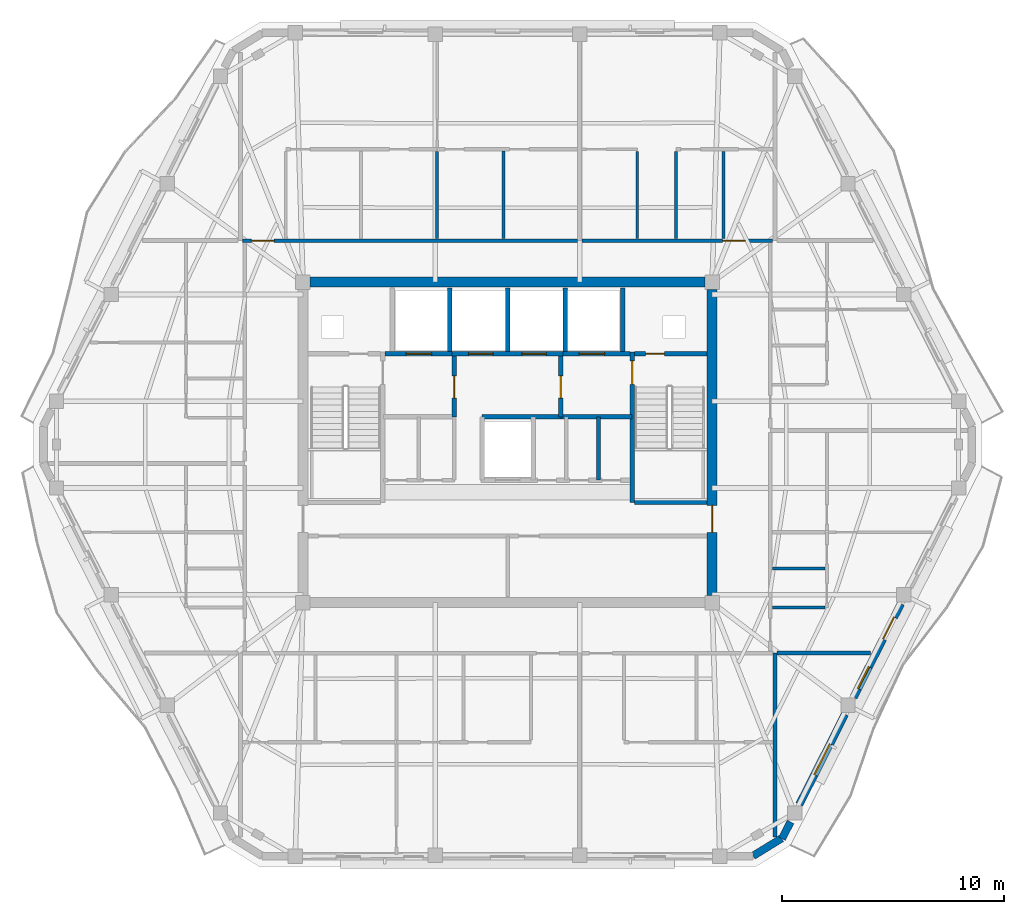
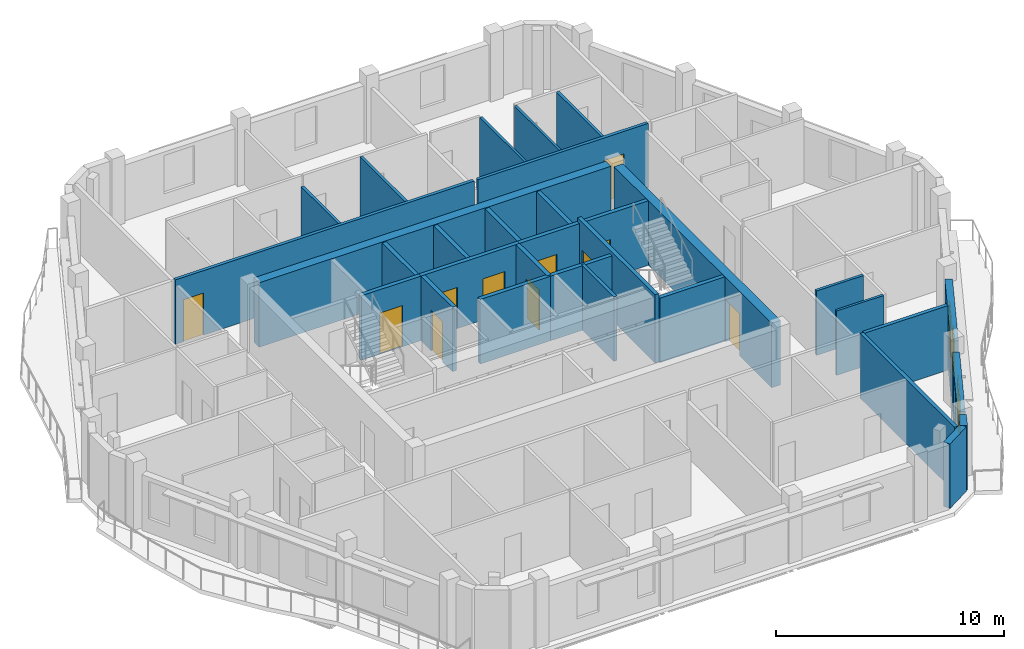
# One storey, part 6 of 11: 32 walls, 12 doors, 2 windows, 14 openings.
"""IFC4 building model written with IfcOpenShell, lengths in metres."""

import ifcopenshell
import ifcopenshell.guid

model = None  # the IFC model being written
_history = None  # IfcOwnerHistory: only IFC2X3 demands one
_inside = {}  # id of a spatial element -> (the spatial element, [elements in it])
_under = {}  # id of a project, library or spatial element -> (it, [spatial elements below it])
_declared = {}  # id of a project -> (the project, [libraries it declares])
_typed = {}  # id of a type object -> (the type object, [elements of that type])
_made_of = {}  # id of a material, layer set ... -> (it, [elements and type objects made of it])


def new_model(schema):
    """Start an empty IFC model of exactly this schema.

    Asked for "IFC4X3", IfcOpenShell would pick the latest addendum, in which some entities
    have other attributes; the version numbers below select the first issue.
    IFC2X3 requires an IfcOwnerHistory on every rooted entity: one is made here for all.
    """
    global model, _history
    if schema == "IFC4X3":
        model = ifcopenshell.file(schema_version=(4, 3, 0, 0))
    else:
        model = ifcopenshell.file(schema=schema)
    _inside.clear()
    _under.clear()
    _declared.clear()
    _typed.clear()
    _made_of.clear()
    _history = None
    if model.schema == "IFC2X3":
        org = make("IfcOrganization", Name="unknown")
        user = make(
            "IfcPersonAndOrganization",
            ThePerson=make("IfcPerson", FamilyName="unknown"),
            TheOrganization=org,
        )
        app = make(
            "IfcApplication",
            ApplicationDeveloper=org,
            Version="unknown",
            ApplicationFullName="unknown",
            ApplicationIdentifier="unknown",
        )
        _history = make(
            "IfcOwnerHistory",
            OwningUser=user,
            OwningApplication=app,
            ChangeAction="ADDED",
            CreationDate=0,
        )
    return model


def make(cls, **values):
    """One entity of the class cls with the attributes given. An attribute that is None is left unset."""
    return model.create_entity(
        cls, **{name: value for name, value in values.items() if value is not None}
    )


def rooted(cls, **values):
    """An entity with a GlobalId (a new one), such as an element, a storey or a relation."""
    return make(cls, GlobalId=ifcopenshell.guid.new(), OwnerHistory=_history, **values)


def si_unit(unit_type, name, prefix=None):
    """IfcSIUnit, for example si_unit("LENGTHUNIT", "METRE", prefix="MILLI")."""
    return make("IfcSIUnit", UnitType=unit_type, Prefix=prefix, Name=name)


def assignment(units):
    """IfcUnitAssignment: the units of a project."""
    return None if units is None else make("IfcUnitAssignment", Units=units)


def point(xyz):
    """IfcCartesianPoint."""
    return None if xyz is None else make("IfcCartesianPoint", Coordinates=xyz)


def direction(xyz):
    """IfcDirection."""
    return None if xyz is None else make("IfcDirection", DirectionRatios=xyz)


def frame(location, z_axis=None, x_axis=None):
    """IfcAxis2Placement3D, a coordinate frame: its origin and axes. An axis left out is left unset."""
    return make(
        "IfcAxis2Placement3D",
        Location=point(location),
        Axis=direction(z_axis),
        RefDirection=direction(x_axis),
    )


def frame_2d(location, x_axis=None):
    """IfcAxis2Placement2D, a coordinate frame in the plane: its origin and x axis."""
    return make(
        "IfcAxis2Placement2D", Location=point(location), RefDirection=direction(x_axis)
    )


def origin():
    """The frame at (0, 0, 0) with its axes left unset."""
    return frame((0.0, 0.0, 0.0))


def place(relative_to, where):
    """IfcLocalPlacement: puts the frame where relative to a parent placement (None: the world)."""
    return make(
        "IfcLocalPlacement", PlacementRelTo=relative_to, RelativePlacement=where
    )


def context(
    kind, dimensions, precision=None, world=None, true_north=None, identifier=None
):
    """IfcGeometricRepresentationContext, for example the 3D "Model" context."""
    return make(
        "IfcGeometricRepresentationContext",
        ContextIdentifier=identifier,
        ContextType=kind,
        CoordinateSpaceDimension=dimensions,
        Precision=precision,
        WorldCoordinateSystem=world,
        TrueNorth=true_north,
    )


def subcontext(parent, identifier, kind, view, scale=None):
    """IfcGeometricRepresentationSubContext, for example "Body" below "Model"."""
    return make(
        "IfcGeometricRepresentationSubContext",
        ContextIdentifier=identifier,
        ContextType=kind,
        ParentContext=parent,
        TargetScale=scale,
        TargetView=view,
    )


def project(units=None, contexts=None):
    """IfcProject with its units and contexts."""
    return rooted(
        "IfcProject",
        Name="project",
        RepresentationContexts=contexts,
        UnitsInContext=assignment(units),
    )


def spatial(cls, under=None, at=None, **own):
    """A site, building, storey or space (cls), placed at a placement, below another one or the project."""
    s = rooted(cls, ObjectPlacement=at, **own)
    if under is not None:
        _under.setdefault(under.id(), (under, []))[1].append(s)
    return s


def profile(cls, at=None, kind="AREA", **sizes):
    """A parametric profile (cls). Its sizes go by their IFC names, for example OverallWidth=200.0."""
    return make(cls, ProfileType=kind, Position=at, **sizes)


def rectangle(**sizes):
    """IfcRectangleProfileDef."""
    return profile("IfcRectangleProfileDef", **sizes)


def extrude(swept, where, along, depth):
    """IfcExtrudedAreaSolid: the profile swept, set in the frame where, extruded along a direction by depth."""
    return make(
        "IfcExtrudedAreaSolid",
        SweptArea=swept,
        Position=where,
        ExtrudedDirection=direction(along),
        Depth=depth,
    )


def shape(context_of_items, identifier, shape_type, items):
    """IfcShapeRepresentation: the items that make up one representation, for example the "Body"."""
    return make(
        "IfcShapeRepresentation",
        ContextOfItems=context_of_items,
        RepresentationIdentifier=identifier,
        RepresentationType=shape_type,
        Items=items,
    )


def material(Name=None, Category=None):
    """IfcMaterial."""
    return make("IfcMaterial", Name=Name, Category=Category)


def layer(
    of_material, thickness, ventilated=None, Name=None, Category=None, Priority=None
):
    """IfcMaterialLayer: one layer of a wall or slab, of a material (None: an air gap)."""
    return make(
        "IfcMaterialLayer",
        Material=of_material,
        LayerThickness=thickness,
        IsVentilated=ventilated,
        Name=Name,
        Category=Category,
        Priority=Priority,
    )


def layer_set(layers, Name=None):
    """IfcMaterialLayerSet."""
    return make("IfcMaterialLayerSet", MaterialLayers=layers, LayerSetName=Name)


def made_of(thing, what):
    """Note that an element or type object is made of a material, layer set ...; save() writes the relation."""
    if what is not None:
        _made_of.setdefault(what.id(), (what, []))[1].append(thing)
    return thing


def type_object(cls, material=None, **own):
    """A type object (cls), such as IfcWallType, which elements share."""
    return made_of(rooted(cls, **own), material)


def element(
    cls,
    number,
    at=None,
    inside=None,
    cuts=None,
    type_object=None,
    material=None,
    context=None,
    identifier="Body",
    shape_type=None,
    held_by="IfcProductDefinitionShape",
    body=None,
    shapes=None,
    **own,
):
    """One element of the class cls, such as IfcWall. Its Tag is "e" and its number.

    at: its placement. inside: the storey or other place that contains it. cuts: it is an
    opening in that element (IfcRelVoidsElement). A single representation is given by context,
    identifier, shape_type and body (its items); several are given by shapes. held_by: the class
    of the entity that holds the representations. save() writes the other relations.
    """
    e = rooted(cls, Tag="e%d" % number, ObjectPlacement=at, **own)
    if body is not None:
        shapes = [shape(context, identifier, shape_type, body)]
    if shapes is not None:
        e.Representation = make(held_by, Representations=shapes)
    if inside is not None:
        _inside.setdefault(inside.id(), (inside, []))[1].append(e)
    if cuts is not None:
        rooted(
            "IfcRelVoidsElement", RelatingBuildingElement=cuts, RelatedOpeningElement=e
        )
    if type_object is not None:
        _typed.setdefault(type_object.id(), (type_object, []))[1].append(e)
    return made_of(e, material)


def fill(opening, filler):
    """IfcRelFillsElement: the door or window that sits in an opening."""
    return rooted(
        "IfcRelFillsElement",
        RelatingOpeningElement=opening,
        RelatedBuildingElement=filler,
    )


def aggregate(whole, parts):
    """IfcRelAggregates: a whole, such as a stair, and the parts it consists of."""
    return rooted("IfcRelAggregates", RelatingObject=whole, RelatedObjects=parts)


def save(model, path):
    """Write the relations noted so far, then the file.

    IfcRelAggregates (storeys below a building ...), IfcRelContainedInSpatialStructure (elements
    in a storey), IfcRelDefinesByType, IfcRelAssociatesMaterial and IfcRelDeclares: one each for
    every whole, place, type object, material and project.
    """
    for whole, parts in _under.values():
        aggregate(whole, parts)
    for where, things in _inside.values():
        rooted(
            "IfcRelContainedInSpatialStructure",
            RelatedElements=things,
            RelatingStructure=where,
        )
    for kind, things in _typed.values():
        rooted("IfcRelDefinesByType", RelatedObjects=things, RelatingType=kind)
    for what, things in _made_of.values():
        rooted("IfcRelAssociatesMaterial", RelatedObjects=things, RelatingMaterial=what)
    for by, libraries in _declared.values():
        rooted("IfcRelDeclares", RelatingContext=by, RelatedDefinitions=libraries)
    model.write(path)


model = new_model("IFC4")

# Units and contexts
model_context = context("Model", 3, precision=1e-05, world=origin(), true_north=direction((0.0, 1.0)))
body_context = subcontext(model_context, "Body", "Model", "MODEL_VIEW")
ifc_project = project(units=[si_unit("LENGTHUNIT", "METRE"), si_unit("AREAUNIT", "SQUARE_METRE"), si_unit("VOLUMEUNIT", "CUBIC_METRE"), si_unit("PLANEANGLEUNIT", "RADIAN"), si_unit("MASSUNIT", "GRAM", prefix="KILO")], contexts=[model_context])

# Site, building, storey
site_placement = place(None, origin())
site = spatial("IfcSite", under=ifc_project, at=site_placement, CompositionType="ELEMENT")
building_placement = place(site_placement, origin())
building = spatial("IfcBuilding", under=site, at=building_placement, Name="Cinnabar Lancet Tower", CompositionType="ELEMENT")
storey_placement = place(building_placement, frame((0.0, 0.0, 259.85009765625)))
storey = spatial("IfcBuildingStorey", under=building, at=storey_placement, Name="L69", CompositionType="ELEMENT", Elevation=259.85009765625)

# Wall
ifc_material_1 = material(Name="Acoustic twin-stud gypsum partition", Category="gypsum")
ifc_layer_1 = layer(ifc_material_1, 0.159912109375)
ifc_layer_set_1 = layer_set([ifc_layer_1], Name="Acoustic twin-stud gypsum partition")
wall_type_1 = type_object("IfcWallType", Name="ARC-WL-CORR-160", PredefinedType="PARTITIONING", material=ifc_layer_set_1)
wall_1_placement = place(storey_placement, frame((36.5, 24.199951171875, 0.0), z_axis=(0.0, 0.0, 1.0), x_axis=(0.0, 1.0, 0.0)))
element("IfcWall", 1, at=wall_1_placement, inside=storey, type_object=wall_type_1, Name="CW-REC6D2-L69", PredefinedType="PARTITIONING", context=body_context, shape_type="SweptSolid", body=[
    extrude(rectangle(XDim=2.85009765625, YDim=0.159912109375, at=frame_2d((1.425048828125, 0.0))), origin(), (0.0, 0.0, 1.0), 3.449951171875),
])

# Wall, opening, door
wall_2_placement = place(storey_placement, frame((20.445068359375, 35.0, 0.0), z_axis=(0.0, 0.0, 1.0), x_axis=(1.0, 0.0, 0.0)))
wall_2 = element("IfcWall", 2, at=wall_2_placement, inside=storey, type_object=wall_type_1, Name="L69 Unit N01 Corridor Wall", PredefinedType="PARTITIONING", context=body_context, shape_type="SweptSolid", body=[
    extrude(rectangle(XDim=15.114013671875, YDim=0.159912109375, at=frame_2d((7.55712890625, 0.0))), origin(), (0.0, 0.0, 1.0), 3.449951171875),
])
opening_1_placement = place(wall_2_placement, frame((0.405029296875, 0.0, 0.0)))
opening_1 = element("IfcOpeningElement", 3, at=opening_1_placement, cuts=wall_2, Name="Opening UD-01", PredefinedType="OPENING", context=body_context, shape_type="SweptSolid", body=[
    extrude(rectangle(XDim=1.02001953125, YDim=2.25, at=frame_2d((0.510009765625, 1.125))), frame((0.0, 0.08984375, 0.0), z_axis=(0.0, -1.0, 0.0), x_axis=(1.0, 0.0, 0.0)), (0.0, 0.0, 1.0), 0.179931640625),
])
ifc_material_2 = material(Name="Solid timber fire-rated apartment entrance door", Category="wood")
door_type_1 = type_object("IfcDoorType", Name="ARC-DR-UNIT", OperationType="NOTDEFINED", PredefinedType="DOOR", material=ifc_material_2)
door_1_placement = place(opening_1_placement, origin())
door_1 = element("IfcDoor", 4, at=door_1_placement, inside=storey, type_object=door_type_1, Name="DR-L69-N01-ENT", OperationType="SINGLE_SWING_LEFT", OverallHeight=2.25, OverallWidth=1.02001953125, PredefinedType="DOOR", context=body_context, shape_type="SweptSolid", body=[
    extrude(rectangle(XDim=1.02001953125, YDim=2.25, at=frame_2d((0.510009765625, 1.125))), frame((0.0, 0.02490234375, 0.0), z_axis=(0.0, -1.0, 0.0), x_axis=(1.0, 0.0, 0.0)), (0.0, 0.0, 1.0), 0.050048828125),
])
fill(opening_1, door_1)

wall_3_placement = place(storey_placement, frame((35.7490234375, 35.0, 0.0), z_axis=(0.0, 0.0, 1.0), x_axis=(1.0, 0.0, 0.0)))
wall_3 = element("IfcWall", 5, at=wall_3_placement, inside=storey, type_object=wall_type_1, Name="L69 Unit N02 Corridor Wall", PredefinedType="PARTITIONING", context=body_context, shape_type="SweptSolid", body=[
    extrude(rectangle(XDim=8.60595703125, YDim=0.159912109375, at=frame_2d((4.302978515625, 0.0))), origin(), (0.0, 0.0, 1.0), 3.449951171875),
])
opening_2_placement = place(wall_3_placement, frame((6.35107421875, 0.0, 0.0)))
opening_2 = element("IfcOpeningElement", 6, at=opening_2_placement, cuts=wall_3, Name="Opening UD-01", PredefinedType="OPENING", context=body_context, shape_type="SweptSolid", body=[
    extrude(rectangle(XDim=1.02001953125, YDim=2.25, at=frame_2d((0.510009765625, 1.125))), frame((0.0, 0.08984375, 0.0), z_axis=(0.0, -1.0, 0.0), x_axis=(1.0, 0.0, 0.0)), (0.0, 0.0, 1.0), 0.179931640625),
])
door_2_placement = place(opening_2_placement, origin())
door_2 = element("IfcDoor", 7, at=door_2_placement, inside=storey, type_object=door_type_1, Name="DR-L69-N02-ENT", OperationType="SINGLE_SWING_RIGHT", OverallHeight=2.25, OverallWidth=1.02001953125, PredefinedType="DOOR", context=body_context, shape_type="SweptSolid", body=[
    extrude(rectangle(XDim=1.02001953125, YDim=2.25, at=frame_2d((0.510009765625, 1.125))), frame((0.0, 0.02490234375, 0.0), z_axis=(0.0, -1.0, 0.0), x_axis=(1.0, 0.0, 0.0)), (0.0, 0.0, 1.0), 0.050048828125),
])
fill(opening_2, door_2)

# Walls
ifc_material_3 = material(Name="Fire-rated twin-frame acoustic drywall", Category="gypsum")
ifc_layer_2 = layer(ifc_material_3, 0.179931640625)
ifc_layer_set_2 = layer_set([ifc_layer_2], Name="Fire-rated twin-frame acoustic drywall")
wall_type_2 = type_object("IfcWallType", Name="ARC-WL-PARTY-180", PredefinedType="PARTITIONING", material=ifc_layer_set_2)
wall_4_placement = place(storey_placement, frame((44.449951171875, 8.118896484375, 0.0), z_axis=(0.0, 0.0, 1.0), x_axis=(0.0, 1.0, 0.0)))
element("IfcWall", 8, at=wall_4_placement, inside=storey, type_object=wall_type_2, Name="PW-L69-SPTY-444", PredefinedType="PARTITIONING", context=body_context, shape_type="SweptSolid", body=[
    extrude(rectangle(XDim=8.281005859375, YDim=0.179931640625, at=frame_2d((4.140625, 0.0))), origin(), (0.0, 0.0, 1.0), 3.449951171875),
])
wall_5_placement = place(storey_placement, frame((44.544921875, 16.39990234375, 0.0), z_axis=(0.0, 0.0, 1.0), x_axis=(1.0, 0.0, 0.0)))
element("IfcWall", 9, at=wall_5_placement, inside=storey, type_object=wall_type_2, Name="PW-L69-ESB", PredefinedType="PARTITIONING", context=body_context, shape_type="SweptSolid", body=[
    extrude(rectangle(XDim=4.22119140625, YDim=0.179931640625, at=frame_2d((2.110595703125, 0.0))), origin(), (0.0, 0.0, 1.0), 3.449951171875),
])
ifc_material_4 = material(Name="Autoclaved aerated concrete blockwork", Category="masonry")
ifc_layer_3 = layer(ifc_material_4, 0.199951171875)
ifc_layer_set_3 = layer_set([ifc_layer_3], Name="Autoclaved aerated concrete blockwork")
wall_type_3 = type_object("IfcWallType", Name="ARC-WL-SHAFT-200", PredefinedType="PLUMBINGWALL", material=ifc_layer_set_3)
wall_6_placement = place(storey_placement, frame((38.125, 23.199951171875, 0.0), z_axis=(0.0, 0.0, 1.0), x_axis=(1.0, 0.0, 0.0)))
element("IfcWall", 10, at=wall_6_placement, inside=storey, type_object=wall_type_3, Name="CW-ST2S-L69", PredefinedType="PLUMBINGWALL", context=body_context, shape_type="SweptSolid", body=[
    extrude(rectangle(XDim=3.27001953125, YDim=0.199951171875, at=frame_2d((1.635009765625, 0.0))), origin(), (0.0, 0.0, 1.0), 3.449951171875),
])

# Wall, opening, door
wall_7_placement = place(storey_placement, frame((26.885009765625, 29.89990234375, 0.0), z_axis=(0.0, 0.0, 1.0), x_axis=(1.0, 0.0, 0.0)))
wall_7 = element("IfcWall", 11, at=wall_7_placement, inside=storey, type_object=wall_type_3, Name="CW-FL1-L69", PredefinedType="PLUMBINGWALL", context=body_context, shape_type="SweptSolid", body=[
    extrude(rectangle(XDim=3.014892578125, YDim=0.199951171875, at=frame_2d((1.50732421875, 0.0))), origin(), (0.0, 0.0, 1.0), 3.449951171875),
])
opening_3_placement = place(wall_7_placement, frame((0.93994140625, 0.0, 0.0)))
opening_3 = element("IfcOpeningElement", 12, at=opening_3_placement, cuts=wall_7, Name="Opening LD-02", PredefinedType="OPENING", context=body_context, shape_type="SweptSolid", body=[
    extrude(rectangle(XDim=1.14990234375, YDim=2.199951171875, at=frame_2d((0.574951171875, 1.10009765625))), frame((0.0, 0.10986328125, 0.0), z_axis=(0.0, -1.0, 0.0), x_axis=(1.0, 0.0, 0.0)), (0.0, 0.0, 1.0), 0.219970703125),
])
ifc_material_5 = material(Name="Fire-rated stainless steel firefighting lift landing door", Category="steel")
door_type_2 = type_object("IfcDoorType", Name="ARC-DR-LD-FIRE", OperationType="NOTDEFINED", PredefinedType="DOOR", material=ifc_material_5)
door_3_placement = place(opening_3_placement, origin())
door_3 = element("IfcDoor", 13, at=door_3_placement, inside=storey, type_object=door_type_2, Name="L69 Firefighting Lift FL-1 Landing Door", OperationType="DOUBLE_DOOR_SLIDING", OverallHeight=2.199951171875, OverallWidth=1.14990234375, PredefinedType="DOOR", context=body_context, shape_type="SweptSolid", body=[
    extrude(rectangle(XDim=1.14990234375, YDim=2.199951171875, at=frame_2d((0.574951171875, 1.10009765625))), frame((0.0, 0.02490234375, 0.0), z_axis=(0.0, -1.0, 0.0), x_axis=(1.0, 0.0, 0.0)), (0.0, 0.0, 1.0), 0.050048828125),
])
fill(opening_3, door_3)

# Wall, openings, doors
wall_8_placement = place(storey_placement, frame((29.89990234375, 29.89990234375, 0.0), z_axis=(0.0, 0.0, 1.0), x_axis=(1.0, 0.0, 0.0)))
wall_8 = element("IfcWall", 14, at=wall_8_placement, inside=storey, type_object=wall_type_3, Name="CW-PL78-L69", PredefinedType="PLUMBINGWALL", context=body_context, shape_type="SweptSolid", body=[
    extrude(rectangle(XDim=5.0, YDim=0.199951171875, at=frame_2d((2.5, 0.0))), origin(), (0.0, 0.0, 1.0), 3.449951171875),
])
opening_4_placement = place(wall_8_placement, frame((0.75, 0.0, 0.0)))
opening_4 = element("IfcOpeningElement", 15, at=opening_4_placement, cuts=wall_8, Name="Opening LD-01", PredefinedType="OPENING", context=body_context, shape_type="SweptSolid", body=[
    extrude(rectangle(XDim=1.10009765625, YDim=2.199951171875, at=frame_2d((0.550048828125, 1.10009765625))), frame((0.0, 0.10986328125, 0.0), z_axis=(0.0, -1.0, 0.0), x_axis=(1.0, 0.0, 0.0)), (0.0, 0.0, 1.0), 0.219970703125),
])
opening_5_placement = place(wall_8_placement, frame((3.14990234375, 0.0, 0.0)))
opening_5 = element("IfcOpeningElement", 16, at=opening_5_placement, cuts=wall_8, Name="Opening LD-01", PredefinedType="OPENING", context=body_context, shape_type="SweptSolid", body=[
    extrude(rectangle(XDim=1.10009765625, YDim=2.199951171875, at=frame_2d((0.550048828125, 1.10009765625))), frame((0.0, 0.10986328125, 0.0), z_axis=(0.0, -1.0, 0.0), x_axis=(1.0, 0.0, 0.0)), (0.0, 0.0, 1.0), 0.219970703125),
])
ifc_material_6 = material(Name="Brushed stainless steel sliding lift door", Category="steel")
door_type_3 = type_object("IfcDoorType", Name="ARC-DR-LD-PASS", OperationType="NOTDEFINED", PredefinedType="DOOR", material=ifc_material_6)
door_4_placement = place(opening_4_placement, origin())
door_4 = element("IfcDoor", 17, at=door_4_placement, inside=storey, type_object=door_type_3, Name="L69 Lift PL-7 Landing Door", OperationType="DOUBLE_DOOR_SLIDING", OverallHeight=2.199951171875, OverallWidth=1.10009765625, PredefinedType="DOOR", context=body_context, shape_type="SweptSolid", body=[
    extrude(rectangle(XDim=1.10009765625, YDim=2.199951171875, at=frame_2d((0.550048828125, 1.10009765625))), frame((0.0, 0.02490234375, 0.0), z_axis=(0.0, -1.0, 0.0), x_axis=(1.0, 0.0, 0.0)), (0.0, 0.0, 1.0), 0.050048828125),
])
fill(opening_4, door_4)
door_5_placement = place(opening_5_placement, origin())
door_5 = element("IfcDoor", 18, at=door_5_placement, inside=storey, type_object=door_type_3, Name="L69 Lift PL-8 Landing Door", OperationType="DOUBLE_DOOR_SLIDING", OverallHeight=2.199951171875, OverallWidth=1.10009765625, PredefinedType="DOOR", context=body_context, shape_type="SweptSolid", body=[
    extrude(rectangle(XDim=1.10009765625, YDim=2.199951171875, at=frame_2d((0.550048828125, 1.10009765625))), frame((0.0, 0.02490234375, 0.0), z_axis=(0.0, -1.0, 0.0), x_axis=(1.0, 0.0, 0.0)), (0.0, 0.0, 1.0), 0.050048828125),
])
fill(opening_5, door_5)

# Wall, opening, door
wall_9_placement = place(storey_placement, frame((34.89990234375, 29.89990234375, 0.0), z_axis=(0.0, 0.0, 1.0), x_axis=(1.0, 0.0, 0.0)))
wall_9 = element("IfcWall", 19, at=wall_9_placement, inside=storey, type_object=wall_type_3, Name="CW-FL2-L69", PredefinedType="PLUMBINGWALL", context=body_context, shape_type="SweptSolid", body=[
    extrude(rectangle(XDim=3.01513671875, YDim=0.199951171875, at=frame_2d((1.507568359375, 0.0))), origin(), (0.0, 0.0, 1.0), 3.449951171875),
])
opening_6_placement = place(wall_9_placement, frame((0.72509765625, 0.0, 0.0)))
opening_6 = element("IfcOpeningElement", 20, at=opening_6_placement, cuts=wall_9, Name="Opening LD-02", PredefinedType="OPENING", context=body_context, shape_type="SweptSolid", body=[
    extrude(rectangle(XDim=1.14990234375, YDim=2.199951171875, at=frame_2d((0.574951171875, 1.10009765625))), frame((0.0, 0.10986328125, 0.0), z_axis=(0.0, -1.0, 0.0), x_axis=(1.0, 0.0, 0.0)), (0.0, 0.0, 1.0), 0.219970703125),
])
door_6_placement = place(opening_6_placement, origin())
door_6 = element("IfcDoor", 21, at=door_6_placement, inside=storey, type_object=door_type_2, Name="L69 Firefighting Lift FL-2 Landing Door", OperationType="DOUBLE_DOOR_SLIDING", OverallHeight=2.199951171875, OverallWidth=1.14990234375, PredefinedType="DOOR", context=body_context, shape_type="SweptSolid", body=[
    extrude(rectangle(XDim=1.14990234375, YDim=2.199951171875, at=frame_2d((0.574951171875, 1.10009765625))), frame((0.0, 0.02490234375, 0.0), z_axis=(0.0, -1.0, 0.0), x_axis=(1.0, 0.0, 0.0)), (0.0, 0.0, 1.0), 0.050048828125),
])
fill(opening_6, door_6)

wall_10_placement = place(storey_placement, frame((38.125, 29.89990234375, 0.0), z_axis=(0.0, 0.0, 1.0), x_axis=(1.0, 0.0, 0.0)))
wall_10 = element("IfcWall", 22, at=wall_10_placement, inside=storey, type_object=wall_type_3, Name="CW-NSH-E-L69", PredefinedType="PLUMBINGWALL", context=body_context, shape_type="SweptSolid", body=[
    extrude(rectangle(XDim=3.27001953125, YDim=0.199951171875, at=frame_2d((1.635009765625, 0.0))), origin(), (0.0, 0.0, 1.0), 3.449951171875),
])
opening_7_placement = place(wall_10_placement, frame((0.5, 0.0, 0.0)))
opening_7 = element("IfcOpeningElement", 23, at=opening_7_placement, cuts=wall_10, Name="Opening PD-02", PredefinedType="OPENING", context=body_context, shape_type="SweptSolid", body=[
    extrude(rectangle(XDim=0.85009765625, YDim=2.050048828125, at=frame_2d((0.425048828125, 1.02490234375))), frame((0.0, 0.10986328125, 0.0), z_axis=(0.0, -1.0, 0.0), x_axis=(1.0, 0.0, 0.0)), (0.0, 0.0, 1.0), 0.219970703125),
])
ifc_material_7 = material(Name="Fire-rated steel riser access door", Category="steel")
door_type_4 = type_object("IfcDoorType", Name="ARC-DR-RISER", OperationType="NOTDEFINED", PredefinedType="DOOR", material=ifc_material_7)
door_7_placement = place(opening_7_placement, origin())
door_7 = element("IfcDoor", 24, at=door_7_placement, inside=storey, type_object=door_type_4, Name="L69 East Riser Access Door", OperationType="SINGLE_SWING_RIGHT", OverallHeight=2.050048828125, OverallWidth=0.85009765625, PredefinedType="DOOR", context=body_context, shape_type="SweptSolid", body=[
    extrude(rectangle(XDim=0.85009765625, YDim=2.050048828125, at=frame_2d((0.425048828125, 1.02490234375))), frame((0.0, 0.02490234375, 0.0), z_axis=(0.0, -1.0, 0.0), x_axis=(1.0, 0.0, 0.0)), (0.0, 0.0, 1.0), 0.050048828125),
])
fill(opening_7, door_7)

# Walls
for number, where, z_axis, x_axis, name in (
    (25, (29.800048828125, 30.0, 0.0), (0.0, 0.0, 1.0), (0.0, 1.0, 0.0), "CW-NSH-D2-L69"),
    (26, (32.39990234375, 30.0, 0.0), (0.0, 0.0, 1.0), (0.0, 1.0, 0.0), "CW-NSH-D3-L69"),
    (27, (35.0, 30.0, 0.0), (0.0, 0.0, 1.0), (0.0, 1.0, 0.0), "CW-NSH-D4-L69"),
    (28, (37.60009765625, 30.0, 0.0), (0.0, 0.0, 1.0), (0.0, 1.0, 0.0), "CW-NSH-D5-L69"),
):
    element("IfcWall", number, at=place(storey_placement, frame(where, z_axis=z_axis, x_axis=x_axis)), inside=storey, type_object=wall_type_3, Name=name, PredefinedType="PLUMBINGWALL", context=body_context, shape_type="SweptSolid", body=[
        extrude(rectangle(XDim=2.85009765625, YDim=0.199951171875, at=frame_2d((1.425048828125, 0.0))), origin(), (0.0, 0.0, 1.0), 3.449951171875),
    ])

# Wall, opening, door
wall_11_placement = place(storey_placement, frame((30.0, 27.050048828125, 0.0), z_axis=(0.0, 0.0, 1.0), x_axis=(0.0, 1.0, 0.0)))
wall_11 = element("IfcWall", 29, at=wall_11_placement, inside=storey, type_object=wall_type_3, Name="CW-FF1E-L69", PredefinedType="PLUMBINGWALL", context=body_context, shape_type="SweptSolid", body=[
    extrude(rectangle(XDim=2.75, YDim=0.199951171875, at=frame_2d((1.375, 0.0))), origin(), (0.0, 0.0, 1.0), 3.449951171875),
])
opening_8_placement = place(wall_11_placement, frame((0.85009765625, 0.0, 0.0)))
opening_8 = element("IfcOpeningElement", 30, at=opening_8_placement, cuts=wall_11, Name="Opening FD-01", PredefinedType="OPENING", context=body_context, shape_type="SweptSolid", body=[
    extrude(rectangle(XDim=1.0, YDim=2.14990234375, at=frame_2d((0.5, 1.074951171875))), frame((0.0, 0.10986328125, 0.0), z_axis=(0.0, -1.0, 0.0), x_axis=(1.0, 0.0, 0.0)), (0.0, 0.0, 1.0), 0.219970703125),
])
ifc_material_8 = material(Name="Fire-rated timber-core lobby door", Category="wood")
door_type_5 = type_object("IfcDoorType", Name="ARC-DR-FFAL", OperationType="NOTDEFINED", PredefinedType="DOOR", material=ifc_material_8)
door_8_placement = place(opening_8_placement, origin())
door_8 = element("IfcDoor", 31, at=door_8_placement, inside=storey, type_object=door_type_5, Name="L69 FFAL-1 Lobby Fire Door", OperationType="SINGLE_SWING_RIGHT", OverallHeight=2.14990234375, OverallWidth=1.0, PredefinedType="DOOR", context=body_context, shape_type="SweptSolid", body=[
    extrude(rectangle(XDim=1.0, YDim=2.14990234375, at=frame_2d((0.5, 1.074951171875))), frame((0.0, 0.02490234375, 0.0), z_axis=(0.0, -1.0, 0.0), x_axis=(1.0, 0.0, 0.0)), (0.0, 0.0, 1.0), 0.050048828125),
])
fill(opening_8, door_8)

wall_12_placement = place(storey_placement, frame((34.800048828125, 27.050048828125, 0.0), z_axis=(0.0, 0.0, 1.0), x_axis=(0.0, 1.0, 0.0)))
wall_12 = element("IfcWall", 32, at=wall_12_placement, inside=storey, type_object=wall_type_3, Name="CW-FF2W-L69", PredefinedType="PLUMBINGWALL", context=body_context, shape_type="SweptSolid", body=[
    extrude(rectangle(XDim=2.75, YDim=0.199951171875, at=frame_2d((1.375, 0.0))), origin(), (0.0, 0.0, 1.0), 3.449951171875),
])
opening_9_placement = place(wall_12_placement, frame((0.85009765625, 0.0, 0.0)))
opening_9 = element("IfcOpeningElement", 33, at=opening_9_placement, cuts=wall_12, Name="Opening FD-01", PredefinedType="OPENING", context=body_context, shape_type="SweptSolid", body=[
    extrude(rectangle(XDim=1.0, YDim=2.14990234375, at=frame_2d((0.5, 1.074951171875))), frame((0.0, 0.10986328125, 0.0), z_axis=(0.0, -1.0, 0.0), x_axis=(1.0, 0.0, 0.0)), (0.0, 0.0, 1.0), 0.219970703125),
])
door_9_placement = place(opening_9_placement, origin())
door_9 = element("IfcDoor", 34, at=door_9_placement, inside=storey, type_object=door_type_5, Name="L69 FFAL-2 Lobby Fire Door", OperationType="SINGLE_SWING_LEFT", OverallHeight=2.14990234375, OverallWidth=1.0, PredefinedType="DOOR", context=body_context, shape_type="SweptSolid", body=[
    extrude(rectangle(XDim=1.0, YDim=2.14990234375, at=frame_2d((0.5, 1.074951171875))), frame((0.0, 0.02490234375, 0.0), z_axis=(0.0, -1.0, 0.0), x_axis=(1.0, 0.0, 0.0)), (0.0, 0.0, 1.0), 0.050048828125),
])
fill(opening_9, door_9)

# Walls
wall_13_placement = place(storey_placement, frame((34.800048828125, 27.050048828125, 0.0), z_axis=(0.0, 0.0, 1.0), x_axis=(1.0, 0.0, 0.0)))
element("IfcWall", 35, at=wall_13_placement, inside=storey, type_object=wall_type_3, Name="CW-FF2S-L69", PredefinedType="PLUMBINGWALL", context=body_context, shape_type="SweptSolid", body=[
    extrude(rectangle(XDim=3.199951171875, YDim=0.199951171875, at=frame_2d((1.60009765625, 0.0))), origin(), (0.0, 0.0, 1.0), 3.449951171875),
])
wall_14_placement = place(storey_placement, frame((31.25, 27.050048828125, 0.0), z_axis=(0.0, 0.0, 1.0), x_axis=(1.0, 0.0, 0.0)))
element("IfcWall", 36, at=wall_14_placement, inside=storey, type_object=wall_type_3, Name="CW-PL96N-L69", PredefinedType="PLUMBINGWALL", context=body_context, shape_type="SweptSolid", body=[
    extrude(rectangle(XDim=3.550048828125, YDim=0.199951171875, at=frame_2d((1.77490234375, 0.0))), origin(), (0.0, 0.0, 1.0), 3.449951171875),
])
ifc_material_9 = material(Name="Gypsum plasterboard stud partition", Category="gypsum")
ifc_layer_4 = layer(ifc_material_9, 0.125)
ifc_layer_set_4 = layer_set([ifc_layer_4], Name="Gypsum plasterboard stud partition")
wall_type_4 = type_object("IfcWallType", Name="ARC-WL-UNIT-125", PredefinedType="PARTITIONING", material=ifc_layer_set_4)
for number, where, z_axis, x_axis, name in (
    (37, (40.0, 35.0849609375, 0.0), (0.0, 0.0, 1.0), (0.0, 1.0, 0.0), "UW-L69-N02-FOYE"),
    (38, (38.25, 35.0849609375, 0.0), (0.0, 0.0, 1.0), (0.0, 1.0, 0.0), "UW-L69-N02-FOYW"),
):
    element("IfcWall", number, at=place(storey_placement, frame(where, z_axis=z_axis, x_axis=x_axis)), inside=storey, type_object=wall_type_4, Name=name, PredefinedType="PARTITIONING", context=body_context, shape_type="SweptSolid", body=[
        extrude(rectangle(XDim=3.925048828125, YDim=0.125, at=frame_2d((1.96240234375, 0.0))), origin(), (0.0, 0.0, 1.0), 3.449951171875),
    ])
wall_15_placement = place(storey_placement, frame((44.3349609375, 18.449951171875, 0.0), z_axis=(0.0, 0.0, 1.0), x_axis=(1.0, 0.0, 0.0)))
element("IfcWall", 39, at=wall_15_placement, inside=storey, type_object=wall_type_4, Name="UW-L69-E01-FOYN", PredefinedType="PARTITIONING", context=body_context, shape_type="SweptSolid", body=[
    extrude(rectangle(XDim=2.380126953125, YDim=0.125, at=frame_2d((1.18994140625, 0.0))), origin(), (0.0, 0.0, 1.0), 3.449951171875),
])
ifc_material_10 = material(Name="Moisture-resistant cement-board plumbing wall", Category="masonry")
ifc_layer_5 = layer(ifc_material_10, 0.139892578125)
ifc_layer_set_5 = layer_set([ifc_layer_5], Name="Moisture-resistant cement-board plumbing wall")
wall_type_5 = type_object("IfcWallType", Name="ARC-WL-WET-140", PredefinedType="PLUMBINGWALL", material=ifc_layer_set_5)
wall_16_placement = place(storey_placement, frame((29.22607421875, 35.0849609375, 0.0), z_axis=(0.0, 0.0, 1.0), x_axis=(0.0, 1.0, 0.0)))
element("IfcWall", 40, at=wall_16_placement, inside=storey, type_object=wall_type_5, Name="UW-L69-N01-ENSW", PredefinedType="PLUMBINGWALL", context=body_context, shape_type="SweptSolid", body=[
    extrude(rectangle(XDim=3.925048828125, YDim=0.139892578125, at=frame_2d((1.96240234375, 0.0))), origin(), (0.0, 0.0, 1.0), 2.906982421875),
])
wall_17_placement = place(storey_placement, frame((32.208984375, 35.0849609375, 0.0), z_axis=(0.0, 0.0, 1.0), x_axis=(0.0, 1.0, 0.0)))
element("IfcWall", 41, at=wall_17_placement, inside=storey, type_object=wall_type_5, Name="UW-L69-N01-ENS-WDV", PredefinedType="PLUMBINGWALL", context=body_context, shape_type="SweptSolid", body=[
    extrude(rectangle(XDim=3.945068359375, YDim=0.139892578125, at=frame_2d((1.97265625, 0.0))), origin(), (0.0, 0.0, 1.0), 3.449951171875),
])
wall_18_placement = place(storey_placement, frame((42.135986328125, 35.0849609375, 0.0), z_axis=(0.0, 0.0, 1.0), x_axis=(0.0, 1.0, 0.0)))
element("IfcWall", 42, at=wall_18_placement, inside=storey, type_object=wall_type_5, Name="UW-L69-N02-KDV", PredefinedType="PLUMBINGWALL", context=body_context, shape_type="SweptSolid", body=[
    extrude(rectangle(XDim=3.925048828125, YDim=0.139892578125, at=frame_2d((1.96240234375, 0.0))), origin(), (0.0, 0.0, 1.0), 3.449951171875),
])
wall_19_placement = place(storey_placement, frame((44.3349609375, 20.218017578125, 0.0), z_axis=(0.0, 0.0, 1.0), x_axis=(1.0, 0.0, 0.0)))
element("IfcWall", 43, at=wall_19_placement, inside=storey, type_object=wall_type_5, Name="UW-L69-E01-KDV", PredefinedType="PLUMBINGWALL", context=body_context, shape_type="SweptSolid", body=[
    extrude(rectangle(XDim=2.380126953125, YDim=0.139892578125, at=frame_2d((1.18994140625, 0.0))), origin(), (0.0, 0.0, 1.0), 3.449951171875),
])
ifc_material_11 = material(Name="Cinnabar red clay brick", Category="masonry")
ifc_layer_6 = layer(ifc_material_11, 0.340087890625)
ifc_layer_set_6 = layer_set([ifc_layer_6], Name="Cinnabar red clay brick")
wall_type_6 = type_object("IfcWallType", Name="ENV-WL-BRK-RED-340", PredefinedType="STANDARD", material=ifc_layer_set_6)
wall_20_placement = place(storey_placement, frame((43.468994140625, 7.2548828125, 0.0), z_axis=(0.0, 0.0, 1.0), x_axis=(0.851680557619, 0.52406128246, 0.0)))
element("IfcWall", 44, at=wall_20_placement, inside=storey, type_object=wall_type_6, Name="L69 Chamfered Corner Brick Pier 2.1", PredefinedType="STANDARD", context=body_context, shape_type="SweptSolid", body=[
    extrude(rectangle(XDim=1.507568359375, YDim=0.340087890625, at=frame_2d((0.75390625, 0.0))), origin(), (0.0, 0.0, 1.0), 3.449951171875),
])
wall_21_placement = place(storey_placement, frame((44.77294921875, 8.029052734375, 0.0), z_axis=(0.0, 0.0, 1.0), x_axis=(0.451907025977, 0.8920650424, 0.0)))
element("IfcWall", 45, at=wall_21_placement, inside=storey, type_object=wall_type_6, Name="L69 Face 2 Masonry Bay Wall 1", PredefinedType="STANDARD", context=body_context, shape_type="SweptSolid", body=[
    extrude(rectangle(XDim=0.85205078125, YDim=0.340087890625, at=frame_2d((0.426025390625, 0.0))), origin(), (0.0, 0.0, 1.0), 3.449951171875),
])

# Wall, opening, window
wall_22_placement = place(storey_placement, frame((45.555908203125, 9.576904296875, 0.0), z_axis=(0.0, 0.0, 1.0), x_axis=(0.45154039276, 0.892250678737, 0.0)))
wall_22 = element("IfcWall", 46, at=wall_22_placement, inside=storey, type_object=wall_type_6, Name="L69 Face 2 Masonry Bay Wall 2", PredefinedType="STANDARD", context=body_context, shape_type="SweptSolid", body=[
    extrude(rectangle(XDim=4.5537109375, YDim=0.340087890625, at=frame_2d((2.27685546875, 0.0))), origin(), (0.0, 0.0, 1.0), 2.98291015625),
])
opening_10_placement = place(wall_22_placement, frame((1.501953125, 0.0, 0.75)))
opening_10 = element("IfcOpeningElement", 47, at=opening_10_placement, cuts=wall_22, Name="Opening WN-01", PredefinedType="OPENING", context=body_context, shape_type="SweptSolid", body=[
    extrude(rectangle(XDim=1.550048828125, YDim=2.050048828125, at=frame_2d((0.77490234375, 1.02490234375))), frame((0.0, 0.179931640625, 0.0), z_axis=(0.0, -1.0, 0.0), x_axis=(1.0, 0.0, 0.0)), (0.0, 0.0, 1.0), 0.360107421875),
])
ifc_material_12 = material(Name="Thermally broken bronze-anodized aluminium low-E double glazing", Category="aluminium")
window_type_1 = type_object("IfcWindowType", Name="ENV-WN-LANCET-1550", PartitioningType="SINGLE_PANEL", PredefinedType="WINDOW", material=ifc_material_12)
window_1_placement = place(opening_10_placement, origin())
window_1 = element("IfcWindow", 48, at=window_1_placement, inside=storey, type_object=window_type_1, Name="L69 Face 2 Gothic Lancet Window 2", OverallHeight=2.050048828125, OverallWidth=1.550048828125, PartitioningType="SINGLE_PANEL", PredefinedType="WINDOW", context=body_context, shape_type="SweptSolid", body=[
    extrude(rectangle(XDim=1.550048828125, YDim=2.050048828125, at=frame_2d((0.77490234375, 1.02490234375))), frame((0.0, 0.030029296875, 0.0), z_axis=(0.0, -1.0, 0.0), x_axis=(1.0, 0.0, 0.0)), (0.0, 0.0, 1.0), 0.06005859375),
])
fill(opening_10, window_1)

# Wall, openings, door, window
wall_23_placement = place(storey_placement, frame((48.001953125, 14.4130859375, 0.0), z_axis=(0.0, 0.0, 1.0), x_axis=(0.451468341582, 0.892287137949, 0.0)))
wall_23 = element("IfcWall", 49, at=wall_23_placement, inside=storey, type_object=wall_type_6, Name="L69 Face 2 Masonry Bay Wall 3", PredefinedType="STANDARD", context=body_context, shape_type="SweptSolid", body=[
    extrude(rectangle(XDim=4.72265625, YDim=0.340087890625, at=frame_2d((2.361328125, 0.0))), origin(), (0.0, 0.0, 1.0), 2.98291015625),
])
opening_11_placement = place(wall_23_placement, frame((2.94091796875, 0.0, 0.0)))
opening_11 = element("IfcOpeningElement", 50, at=opening_11_placement, cuts=wall_23, Name="Opening TD-01", PredefinedType="OPENING", context=body_context, shape_type="SweptSolid", body=[
    extrude(rectangle(XDim=1.10009765625, YDim=2.25, at=frame_2d((0.550048828125, 1.125))), frame((0.0, 0.179931640625, 0.0), z_axis=(0.0, -1.0, 0.0), x_axis=(1.0, 0.0, 0.0)), (0.0, 0.0, 1.0), 0.360107421875),
])
opening_12_placement = place(wall_23_placement, frame((0.43408203125, 0.0, 0.75)))
opening_12 = element("IfcOpeningElement", 51, at=opening_12_placement, cuts=wall_23, Name="Opening WN-04", PredefinedType="OPENING", context=body_context, shape_type="SweptSolid", body=[
    extrude(rectangle(XDim=1.10009765625, YDim=2.0, at=frame_2d((0.550048828125, 1.0))), frame((0.0, 0.179931640625, 0.0), z_axis=(0.0, -1.0, 0.0), x_axis=(1.0, 0.0, 0.0)), (0.0, 0.0, 1.0), 0.360107421875),
])
ifc_material_13 = material(Name="Thermally broken low-E glazed balcony terrace door", Category="wood")
door_type_6 = type_object("IfcDoorType", Name="ARC-DR-BALC", OperationType="NOTDEFINED", PredefinedType="DOOR", material=ifc_material_13)
door_10_placement = place(opening_11_placement, origin())
door_10 = element("IfcDoor", 52, at=door_10_placement, inside=storey, type_object=door_type_6, Name="L69 Face 2 Glazed Terrace Door", OperationType="SINGLE_SWING_RIGHT", OverallHeight=2.25, OverallWidth=1.10009765625, PredefinedType="DOOR", context=body_context, shape_type="SweptSolid", body=[
    extrude(rectangle(XDim=1.10009765625, YDim=2.25, at=frame_2d((0.550048828125, 1.125))), frame((0.0, 0.02490234375, 0.0), z_axis=(0.0, -1.0, 0.0), x_axis=(1.0, 0.0, 0.0)), (0.0, 0.0, 1.0), 0.050048828125),
])
fill(opening_11, door_10)
ifc_material_14 = material(Name="Thermally broken bronze-anodized aluminium tall lancet window", Category="aluminium")
window_type_2 = type_object("IfcWindowType", Name="ENV-WN-LANCET-1100", PartitioningType="SINGLE_PANEL", PredefinedType="WINDOW", material=ifc_material_14)
window_2_placement = place(opening_12_placement, origin())
window_2 = element("IfcWindow", 53, at=window_2_placement, inside=storey, type_object=window_type_2, Name="L69 Split-Bay Gothic Lancet Window 251", OverallHeight=2.0, OverallWidth=1.10009765625, PartitioningType="SINGLE_PANEL", PredefinedType="WINDOW", context=body_context, shape_type="SweptSolid", body=[
    extrude(rectangle(XDim=1.10009765625, YDim=2.0, at=frame_2d((0.550048828125, 1.0))), frame((0.0, 0.030029296875, 0.0), z_axis=(0.0, -1.0, 0.0), x_axis=(1.0, 0.0, 0.0)), (0.0, 0.0, 1.0), 0.06005859375),
])
fill(opening_12, window_2)

# Wall
ifc_material_15 = material(Name="Concrete C50/60", Category="concrete")
ifc_layer_7 = layer(ifc_material_15, 0.449951171875)
ifc_layer_set_7 = layer_set([ifc_layer_7], Name="Concrete C50/60")
wall_type_7 = type_object("IfcWallType", Name="STR-WL-CORE-450", PredefinedType="SHEAR", material=ifc_layer_set_7)
wall_24_placement = place(storey_placement, frame((23.5, 33.125, 0.0), z_axis=(0.0, 0.0, 1.0), x_axis=(1.0, 0.0, 0.0)))
element("IfcWall", 54, at=wall_24_placement, inside=storey, type_object=wall_type_7, Name="L69 Core Shear Wall N", PredefinedType="SHEAR", context=body_context, shape_type="SweptSolid", body=[
    extrude(rectangle(XDim=17.800048828125, YDim=0.449951171875, at=frame_2d((8.89990234375, 0.0))), origin(), (0.0, 0.0, 1.0), 3.449951171875),
])

# Wall, opening, door
wall_25_placement = place(storey_placement, frame((41.625, 19.0, 0.0), z_axis=(0.0, 0.0, 1.0), x_axis=(0.0, 1.0, 0.0)))
wall_25 = element("IfcWall", 55, at=wall_25_placement, inside=storey, type_object=wall_type_7, Name="L69 Core Shear Wall E", PredefinedType="SHEAR", context=body_context, shape_type="SweptSolid", body=[
    extrude(rectangle(XDim=13.800048828125, YDim=0.449951171875, at=frame_2d((6.89990234375, 0.0))), origin(), (0.0, 0.0, 1.0), 3.449951171875),
])
opening_13_placement = place(wall_25_placement, frame((2.840087890625, 0.0, 0.0)))
opening_13 = element("IfcOpeningElement", 56, at=opening_13_placement, cuts=wall_25, Name="Opening FD-02", PredefinedType="OPENING", context=body_context, shape_type="SweptSolid", body=[
    extrude(rectangle(XDim=1.219970703125, YDim=2.25, at=frame_2d((0.60986328125, 1.125))), frame((0.0, 0.23486328125, 0.0), z_axis=(0.0, -1.0, 0.0), x_axis=(1.0, 0.0, 0.0)), (0.0, 0.0, 1.0), 0.469970703125),
])
ifc_material_16 = material(Name="Fire-rated double-vision core portal door", Category="wood")
door_type_7 = type_object("IfcDoorType", Name="ARC-DR-CPORT", OperationType="NOTDEFINED", PredefinedType="DOOR", material=ifc_material_16)
door_11_placement = place(opening_13_placement, origin())
door_11 = element("IfcDoor", 57, at=door_11_placement, inside=storey, type_object=door_type_7, Name="L69 East Core Lobby Fire Door", OperationType="SINGLE_SWING_LEFT", OverallHeight=2.25, OverallWidth=1.219970703125, PredefinedType="DOOR", context=body_context, shape_type="SweptSolid", body=[
    extrude(rectangle(XDim=1.219970703125, YDim=2.25, at=frame_2d((0.60986328125, 1.125))), frame((0.0, 0.02490234375, 0.0), z_axis=(0.0, -1.0, 0.0), x_axis=(1.0, 0.0, 0.0)), (0.0, 0.0, 1.0), 0.050048828125),
])
fill(opening_13, door_11)

ifc_material_17 = material(Name="Concrete C50/60", Category="concrete")
ifc_layer_8 = layer(ifc_material_17, 0.199951171875)
ifc_layer_set_8 = layer_set([ifc_layer_8], Name="Concrete C50/60")
wall_type_8 = type_object("IfcWallType", Name="STR-WL-STAIR-200", PredefinedType="SHEAR", material=ifc_layer_set_8)
wall_26_placement = place(storey_placement, frame((38.02001953125, 23.199951171875, 0.0), z_axis=(0.0, 0.0, 1.0), x_axis=(0.0, 1.0, 0.0)))
wall_26 = element("IfcWall", 58, at=wall_26_placement, inside=storey, type_object=wall_type_8, Name="L69 Stair ST-2 Structural Enclosure Wall", PredefinedType="SHEAR", context=body_context, shape_type="SweptSolid", body=[
    extrude(rectangle(XDim=6.780029296875, YDim=0.199951171875, at=frame_2d((3.39013671875, 0.0))), origin(), (0.0, 0.0, 1.0), 3.64990234375),
])
opening_14_placement = place(wall_26_placement, frame((5.320068359375, 0.0, 0.0)))
opening_14 = element("IfcOpeningElement", 59, at=opening_14_placement, cuts=wall_26, Name="Opening SD-01", PredefinedType="OPENING", context=body_context, shape_type="SweptSolid", body=[
    extrude(rectangle(XDim=1.050048828125, YDim=2.14990234375, at=frame_2d((0.52490234375, 1.074951171875))), frame((0.0, 0.10986328125, 0.0), z_axis=(0.0, -1.0, 0.0), x_axis=(1.0, 0.0, 0.0)), (0.0, 0.0, 1.0), 0.219970703125),
])
ifc_material_18 = material(Name="Fire-rated steel stair exit door", Category="steel")
door_type_8 = type_object("IfcDoorType", Name="ARC-DR-STAIR", OperationType="NOTDEFINED", PredefinedType="DOOR", material=ifc_material_18)
door_12_placement = place(opening_14_placement, origin())
door_12 = element("IfcDoor", 60, at=door_12_placement, inside=storey, type_object=door_type_8, Name="L69 Stair ST-2 Fire Door", OperationType="SINGLE_SWING_RIGHT", OverallHeight=2.14990234375, OverallWidth=1.050048828125, PredefinedType="DOOR", context=body_context, shape_type="SweptSolid", body=[
    extrude(rectangle(XDim=1.050048828125, YDim=2.14990234375, at=frame_2d((0.52490234375, 1.074951171875))), frame((0.0, 0.02490234375, 0.0), z_axis=(0.0, -1.0, 0.0), x_axis=(1.0, 0.0, 0.0)), (0.0, 0.0, 1.0), 0.050048828125),
])
fill(opening_14, door_12)

save(model, "model.ifc")
